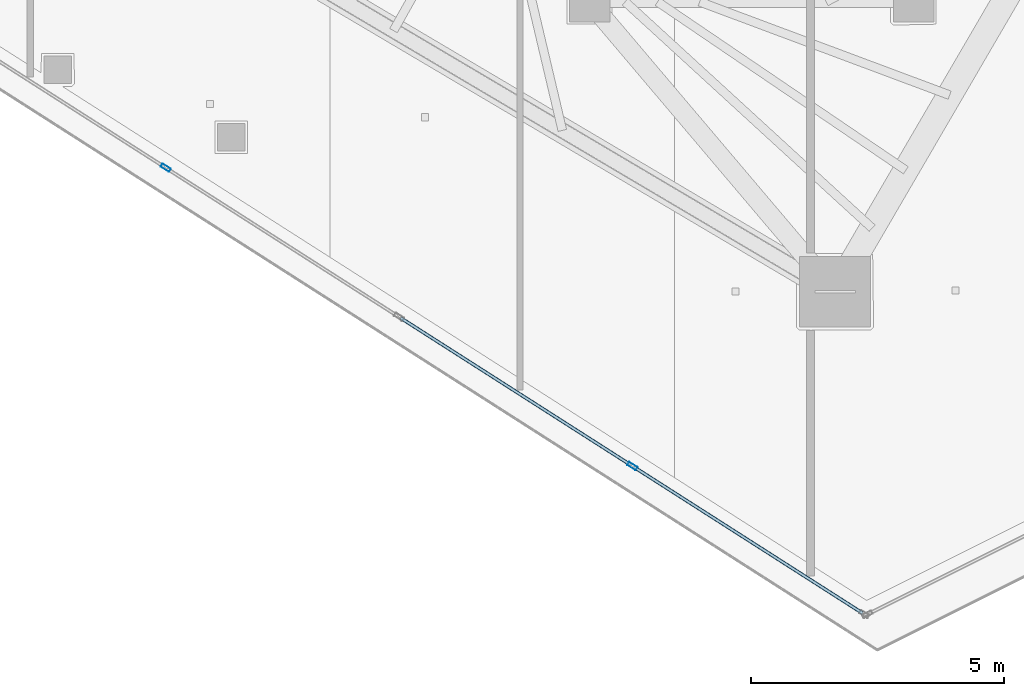
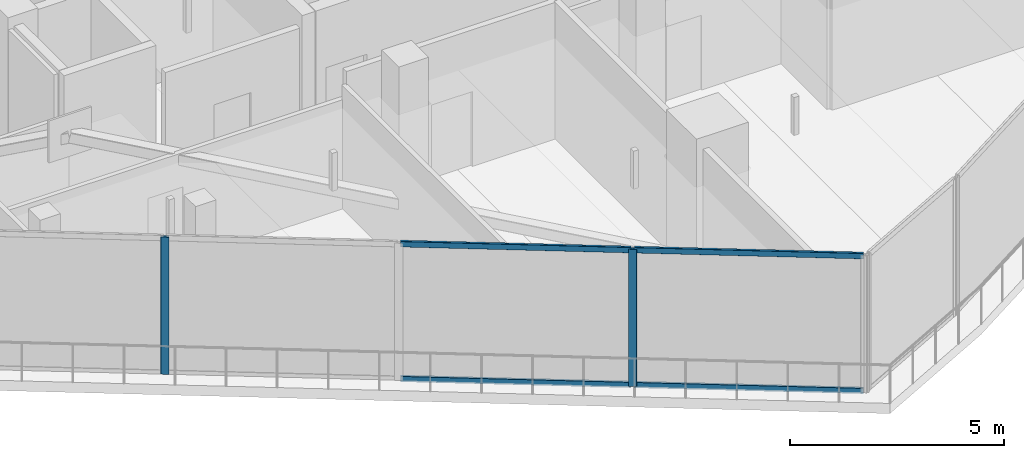
# One storey, part 3 of 30: 6 members, 1 element without a shape of its own.
"""IFC4 building model written with IfcOpenShell, lengths in metres."""

from ifc_helpers import new_model, si_unit, direction, frame, origin, origin_2d, place, context, subcontext, project, spatial, hollow_rectangle, extrude, material, layer, layer_set, material_profile, profile_set, type_object, element, aggregate, save


model = new_model("IFC4")

# Units and contexts
model_context = context("Model", 3, precision=1e-05, world=origin(), true_north=direction((0.0, 1.0)))
body_context = subcontext(model_context, "Body", "Model", "MODEL_VIEW")
ifc_project = project(units=[si_unit("LENGTHUNIT", "METRE"), si_unit("AREAUNIT", "SQUARE_METRE"), si_unit("VOLUMEUNIT", "CUBIC_METRE"), si_unit("PLANEANGLEUNIT", "RADIAN"), si_unit("MASSUNIT", "GRAM", prefix="KILO")], contexts=[model_context])

# Site, building, storey
site_placement = place(None, origin())
site = spatial("IfcSite", under=ifc_project, at=site_placement, CompositionType="ELEMENT")
building_placement = place(site_placement, origin())
building = spatial("IfcBuilding", under=site, at=building_placement, Name="Qorvath Tower", CompositionType="ELEMENT")
storey_placement = place(building_placement, frame((0.0, 0.0, 289.199951171875)))
storey = spatial("IfcBuildingStorey", under=building, at=storey_placement, Name="L67", CompositionType="ELEMENT", Elevation=289.199951171875)

# Curtain wall, members
ifc_material_1 = material(Name="Anodised aluminium and triple low-E glass", Category="aluminium")
ifc_layer = layer(ifc_material_1, 0.179931640625)
ifc_layer_set = layer_set([ifc_layer], Name="CW-SYS-5")
curtain_wall_type = type_object("IfcCurtainWallType", Name="CW-SYS-5", PredefinedType="NOTDEFINED", material=ifc_layer_set)
curtain_wall_placement = place(storey_placement, origin())
curtain_wall = element("IfcCurtainWall", 1, at=curtain_wall_placement, inside=storey, type_object=curtain_wall_type, Name="Curtain Wall CW-5 CW-T-L67-2.1", PredefinedType="NOTDEFINED")
ifc_material_2 = material(Name="Anodised aluminium 6063-T6", Category="aluminium")
ifc_material_profile_1 = material_profile(ifc_material_2, hollow_rectangle(XDim=0.074951171875, YDim=0.199951171875, WallThickness=0.00390625, InnerFilletRadius=0.00390625, OuterFilletRadius=0.008056640625, at=origin_2d()), Name="CWM 200x75")
ifc_profile_set_1 = profile_set([ifc_material_profile_1], Name="Anodised aluminium 6063-T6")
member_type_1 = type_object("IfcMemberType", Name="CWM-200", PredefinedType="MULLION", material=ifc_profile_set_1)
member_1_placement = place(storey_placement, frame((-31.971435546875, -14.728271484375, 0.0), z_axis=(0.0, 0.0, 1.0), x_axis=(0.538536873294, 0.842601944042, 0.0)))
member_1 = element("IfcMember", 2, at=member_1_placement, type_object=member_type_1, Name="CW-5 mullion 5", PredefinedType="MULLION", context=body_context, shape_type="SweptSolid", body=[
    extrude(hollow_rectangle(XDim=0.074951171875, YDim=0.199951171875, WallThickness=0.00390625, InnerFilletRadius=0.00390625, OuterFilletRadius=0.008056640625, at=origin_2d()), origin(), (0.0, 0.0, 1.0), 3.91015625),
])
member_2_placement = place(storey_placement, frame((-22.75390625, -20.61962890625, 0.0), z_axis=(0.0, 0.0, 1.0), x_axis=(0.538536873294, 0.842601944042, 0.0)))
member_2 = element("IfcMember", 3, at=member_2_placement, type_object=member_type_1, Name="CW-5 mullion 7", PredefinedType="MULLION", context=body_context, shape_type="SweptSolid", body=[
    extrude(hollow_rectangle(XDim=0.074951171875, YDim=0.199951171875, WallThickness=0.00390625, InnerFilletRadius=0.00390625, OuterFilletRadius=0.008056640625, at=origin_2d()), origin(), (0.0, 0.0, 1.0), 3.91015625),
])
ifc_material_3 = material(Name="Anodised aluminium 6063-T6", Category="aluminium")
ifc_material_profile_2 = material_profile(ifc_material_3, hollow_rectangle(XDim=0.06494140625, YDim=0.159912109375, WallThickness=0.00341796875, InnerFilletRadius=0.00341796875, OuterFilletRadius=0.007080078125, at=origin_2d()), Name="CWT 160x65")
ifc_profile_set_2 = profile_set([ifc_material_profile_2], Name="Anodised aluminium 6063-T6")
member_type_2 = type_object("IfcMemberType", Name="CWT-160", PredefinedType="USERDEFINED", material=ifc_profile_set_2)
member_3_placement = place(storey_placement, frame((-27.3310546875, -17.694091796875, 0.032470703125), z_axis=(0.842603282272, -0.538534779475, 0.0), x_axis=(0.538534779475, 0.842603282272, 0.0)))
member_3 = element("IfcMember", 4, at=member_3_placement, type_object=member_type_2, Name="CW-5 transom 6.1", ObjectType="TRANSOM", PredefinedType="USERDEFINED", context=body_context, shape_type="SweptSolid", body=[
    extrude(hollow_rectangle(XDim=0.06494140625, YDim=0.159912109375, WallThickness=0.00341796875, InnerFilletRadius=0.00341796875, OuterFilletRadius=0.007080078125, at=origin_2d()), origin(), (0.0, 0.0, 1.0), 5.394775390625),
])
member_4_placement = place(storey_placement, frame((-27.3310546875, -17.694091796875, 3.877685546875), z_axis=(0.842603282272, -0.538534779475, 0.0), x_axis=(0.538534779475, 0.842603282272, 0.0)))
member_4 = element("IfcMember", 5, at=member_4_placement, type_object=member_type_2, Name="CW-5 transom 6.2", ObjectType="TRANSOM", PredefinedType="USERDEFINED", context=body_context, shape_type="SweptSolid", body=[
    extrude(hollow_rectangle(XDim=0.06494140625, YDim=0.159912109375, WallThickness=0.00341796875, InnerFilletRadius=0.00341796875, OuterFilletRadius=0.007080078125, at=origin_2d()), origin(), (0.0, 0.0, 1.0), 5.394775390625),
])
member_5_placement = place(storey_placement, frame((-22.72216796875, -20.6396484375, 0.032470703125), z_axis=(0.842580799685, -0.538569954604, 0.0), x_axis=(0.538569954604, 0.842580799685, 0.0)))
member_5 = element("IfcMember", 6, at=member_5_placement, type_object=member_type_2, Name="CW-5 transom 7.1", ObjectType="TRANSOM", PredefinedType="USERDEFINED", context=body_context, shape_type="SweptSolid", body=[
    extrude(hollow_rectangle(XDim=0.06494140625, YDim=0.159912109375, WallThickness=0.00341796875, InnerFilletRadius=0.00341796875, OuterFilletRadius=0.007080078125, at=origin_2d()), origin(), (0.0, 0.0, 1.0), 5.357177734375),
])
member_6_placement = place(storey_placement, frame((-22.72216796875, -20.6396484375, 3.877685546875), z_axis=(0.842580799685, -0.538569954604, 0.0), x_axis=(0.538569954604, 0.842580799685, 0.0)))
member_6 = element("IfcMember", 7, at=member_6_placement, type_object=member_type_2, Name="CW-5 transom 7.2", ObjectType="TRANSOM", PredefinedType="USERDEFINED", context=body_context, shape_type="SweptSolid", body=[
    extrude(hollow_rectangle(XDim=0.06494140625, YDim=0.159912109375, WallThickness=0.00341796875, InnerFilletRadius=0.00341796875, OuterFilletRadius=0.007080078125, at=origin_2d()), origin(), (0.0, 0.0, 1.0), 5.357177734375),
])
aggregate(curtain_wall, [member_1, member_2, member_3, member_4, member_5, member_6])

save(model, "model.ifc")
